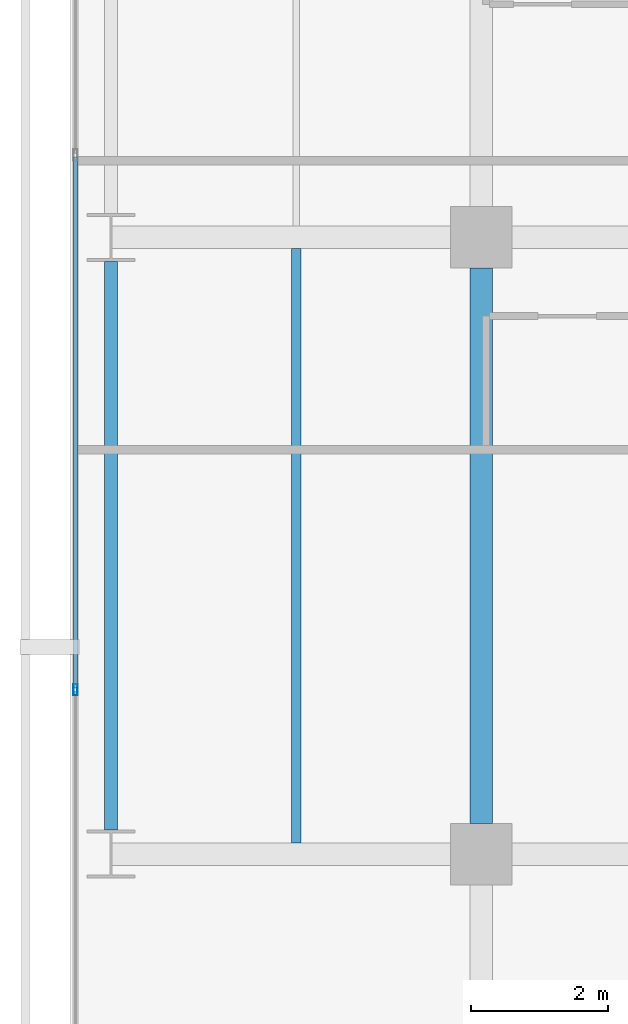
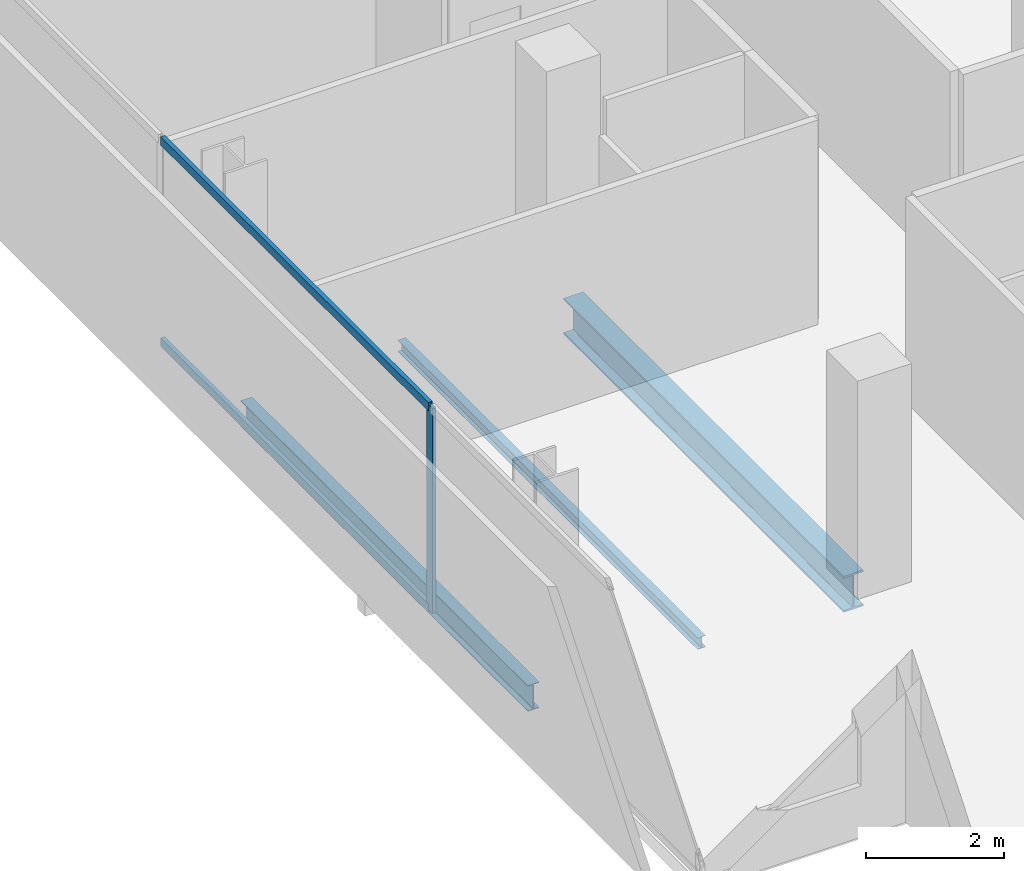
# One storey, part 5 of 40: 3 beams, 3 members, 1 element without a shape of its own.
"""IFC4 building model written with IfcOpenShell, lengths in metres."""

from ifc_helpers import new_model, si_unit, direction, frame, origin, origin_2d, place, context, subcontext, project, spatial, hollow_rectangle, i_section, extrude, material, layer, layer_set, material_profile, profile_set, type_object, element, aggregate, save


model = new_model("IFC4")

# Units and contexts
model_context = context("Model", 3, precision=1e-05, world=origin(), true_north=direction((0.0, 1.0)))
body_context = subcontext(model_context, "Body", "Model", "MODEL_VIEW")
ifc_project = project(units=[si_unit("LENGTHUNIT", "METRE"), si_unit("AREAUNIT", "SQUARE_METRE"), si_unit("VOLUMEUNIT", "CUBIC_METRE"), si_unit("PLANEANGLEUNIT", "RADIAN"), si_unit("MASSUNIT", "GRAM", prefix="KILO")], contexts=[model_context])

# Site, building, storey
site_placement = place(None, origin())
site = spatial("IfcSite", under=ifc_project, at=site_placement, CompositionType="ELEMENT")
building_placement = place(site_placement, origin())
building = spatial("IfcBuilding", under=site, at=building_placement, Name="Maruvema Waterfront Hotel and Observation Tower", CompositionType="ELEMENT")
storey_placement = place(building_placement, frame((0.0, 0.0, 34.64990234375)))
storey = spatial("IfcBuildingStorey", under=building, at=storey_placement, Name="L07", CompositionType="ELEMENT", Elevation=34.64990234375)

# Curtain wall, members
ifc_material_1 = material(Name="Anodised bronze aluminium and solar-control low-E IGU", Category="aluminium")
ifc_layer = layer(ifc_material_1, 0.159912109375, Name="Zone 1 Bronze Inner Thermal Curtain Wall System CW-02")
ifc_layer_set = layer_set([ifc_layer], Name="Anodised bronze aluminium and solar-control low-E IGU")
curtain_wall_type = type_object("IfcCurtainWallType", Name="Zone 1 Bronze Inner Thermal Curtain Wall System CW-02", PredefinedType="USERDEFINED", material=ifc_layer_set)
curtain_wall_placement = place(storey_placement, origin())
curtain_wall = element("IfcCurtainWall", 1, at=curtain_wall_placement, inside=storey, type_object=curtain_wall_type, Name="L07 Curtain Wall CW-L07-W", ObjectType="UNITISED CURTAIN WALL", PredefinedType="USERDEFINED")
ifc_material_2 = material(Name="Anodised architectural bronze aluminium", Category="aluminium")
ifc_material_profile_1 = material_profile(ifc_material_2, hollow_rectangle(XDim=0.070068359375, YDim=0.14990234375, WallThickness=0.00390625, at=origin_2d()), Name="ALU-T70x150")
ifc_profile_set_1 = profile_set([ifc_material_profile_1], Name="Anodised architectural bronze aluminium")
member_type_1 = type_object("IfcMemberType", Name="Curtain Wall Horizontal Transom ALU-T70x150", PredefinedType="USERDEFINED", material=ifc_profile_set_1)
member_1_placement = place(storey_placement, frame((10.8798828125, 19.169921875, 0.030029296875), z_axis=(0.0, -1.0, 0.0), x_axis=(1.0, 0.0, 0.0)))
member_1 = element("IfcMember", 2, at=member_1_placement, type_object=member_type_1, Name="CW-02 transom 5.1", ObjectType="TRANSOM", PredefinedType="USERDEFINED", context=body_context, shape_type="SweptSolid", body=[
    extrude(hollow_rectangle(XDim=0.070068359375, YDim=0.14990234375, WallThickness=0.00390625, at=origin_2d()), origin(), (0.0, 0.0, 1.0), 7.739990234375),
])
member_2_placement = place(storey_placement, frame((10.8798828125, 19.169921875, 3.580078125), z_axis=(0.0, -1.0, 0.0), x_axis=(1.0, 0.0, 0.0)))
member_2 = element("IfcMember", 3, at=member_2_placement, type_object=member_type_1, Name="CW-02 transom 5.2", ObjectType="TRANSOM", PredefinedType="USERDEFINED", context=body_context, shape_type="SweptSolid", body=[
    extrude(hollow_rectangle(XDim=0.070068359375, YDim=0.14990234375, WallThickness=0.00390625, at=origin_2d()), origin(), (0.0, 0.0, 1.0), 7.739990234375),
])
ifc_material_3 = material(Name="Anodised architectural bronze aluminium", Category="aluminium")
ifc_material_profile_2 = material_profile(ifc_material_3, hollow_rectangle(XDim=0.06494140625, YDim=0.1650390625, WallThickness=0.00390625, at=origin_2d()), Name="ALU-M65x165")
ifc_profile_set_2 = profile_set([ifc_material_profile_2], Name="Anodised architectural bronze aluminium")
member_type_2 = type_object("IfcMemberType", Name="Curtain Wall Primary Mullion ALU-M65x165", PredefinedType="MULLION", material=ifc_profile_set_2)
member_3_placement = place(storey_placement, frame((10.8798828125, 11.39990234375, 0.0), z_axis=(0.0, 0.0, 1.0), x_axis=(1.0, 0.0, 0.0)))
member_3 = element("IfcMember", 4, at=member_3_placement, type_object=member_type_2, Name="CW-02 mullion 6", PredefinedType="MULLION", context=body_context, shape_type="SweptSolid", body=[
    extrude(hollow_rectangle(XDim=0.06494140625, YDim=0.1650390625, WallThickness=0.00390625, at=origin_2d()), origin(), (0.0, 0.0, 1.0), 3.610107421875),
])
aggregate(curtain_wall, [member_3, member_1, member_2])

# Beams
ifc_material_4 = material(Name="Steel ASTM A572 Grade 50", Category="steel")
ifc_material_profile_3 = material_profile(ifc_material_4, i_section(OverallWidth=0.18994140625, OverallDepth=0.45703125, WebThickness=0.009033203125, FlangeThickness=0.014404296875, FilletRadius=0.014892578125, at=origin_2d()), Name="W460x74.0")
ifc_profile_set_3 = profile_set([ifc_material_profile_3], Name="Steel ASTM A572 Grade 50")
beam_type_1 = type_object("IfcBeamType", Name="Perimeter Spandrel Beam W460x74.0", PredefinedType="SPANDREL", material=ifc_profile_set_3)
beam_1_placement = place(storey_placement, frame((11.39990234375, 9.35009765625, -0.468505859375), z_axis=(0.0, 1.0, 0.0), x_axis=(-1.0, 0.0, 0.0)))
element("IfcBeam", 5, at=beam_1_placement, inside=storey, type_object=beam_type_1, Name="L07 Floor Girder NS-01", PredefinedType="SPANDREL", context=body_context, shape_type="SweptSolid", body=[
    extrude(i_section(OverallWidth=0.18994140625, OverallDepth=0.45703125, WebThickness=0.009033203125, FlangeThickness=0.014404296875, FilletRadius=0.014892578125, at=origin_2d()), origin(), (0.0, 0.0, 1.0), 8.2998046875),
])
ifc_material_5 = material(Name="Steel ASTM A572 Grade 50", Category="steel")
ifc_material_profile_4 = material_profile(ifc_material_5, i_section(OverallWidth=0.3291015625, OverallDepth=0.635009765625, WebThickness=0.017822265625, FlangeThickness=0.031005859375, FilletRadius=0.01806640625, at=origin_2d()), Name="W610x241.0")
ifc_profile_set_4 = profile_set([ifc_material_profile_4], Name="Steel ASTM A572 Grade 50")
beam_type_2 = type_object("IfcBeamType", Name="Primary Floor Girder W610x241.0", PredefinedType="BEAM", material=ifc_profile_set_4)
beam_2_placement = place(storey_placement, frame((16.800048828125, 9.449951171875, -0.557373046875), z_axis=(0.0, 1.0, 0.0), x_axis=(-1.0, 0.0, 0.0)))
element("IfcBeam", 6, at=beam_2_placement, inside=storey, type_object=beam_type_2, Name="L07 Floor Girder NS-06", PredefinedType="BEAM", context=body_context, shape_type="SweptSolid", body=[
    extrude(i_section(OverallWidth=0.3291015625, OverallDepth=0.635009765625, WebThickness=0.017822265625, FlangeThickness=0.031005859375, FilletRadius=0.01806640625, at=origin_2d()), origin(), (0.0, 0.0, 1.0), 8.10009765625),
])
ifc_material_6 = material(Name="Steel ASTM A572 Grade 50", Category="steel")
ifc_material_profile_5 = material_profile(ifc_material_6, i_section(OverallWidth=0.133056640625, OverallDepth=0.20703125, WebThickness=0.005859375, FlangeThickness=0.00830078125, FilletRadius=0.010009765625, at=origin_2d()), Name="W200x26.6")
ifc_profile_set_5 = profile_set([ifc_material_profile_5], Name="Steel ASTM A572 Grade 50")
beam_type_3 = type_object("IfcBeamType", Name="Secondary Floor Joist W200x26.6", PredefinedType="JOIST", material=ifc_profile_set_5)
beam_3_placement = place(storey_placement, frame((14.10009765625, 9.16455078125, -0.343505859375), z_axis=(0.0, 1.0, 0.0), x_axis=(-1.0, 0.0, 0.0)))
element("IfcBeam", 7, at=beam_3_placement, inside=storey, type_object=beam_type_3, Name="L07 Secondary Floor Joist JS-01", PredefinedType="JOIST", context=body_context, shape_type="SweptSolid", body=[
    extrude(i_section(OverallWidth=0.133056640625, OverallDepth=0.20703125, WebThickness=0.005859375, FlangeThickness=0.00830078125, FilletRadius=0.010009765625, at=origin_2d()), origin(), (0.0, 0.0, 1.0), 8.6708984375),
])

save(model, "model.ifc")
